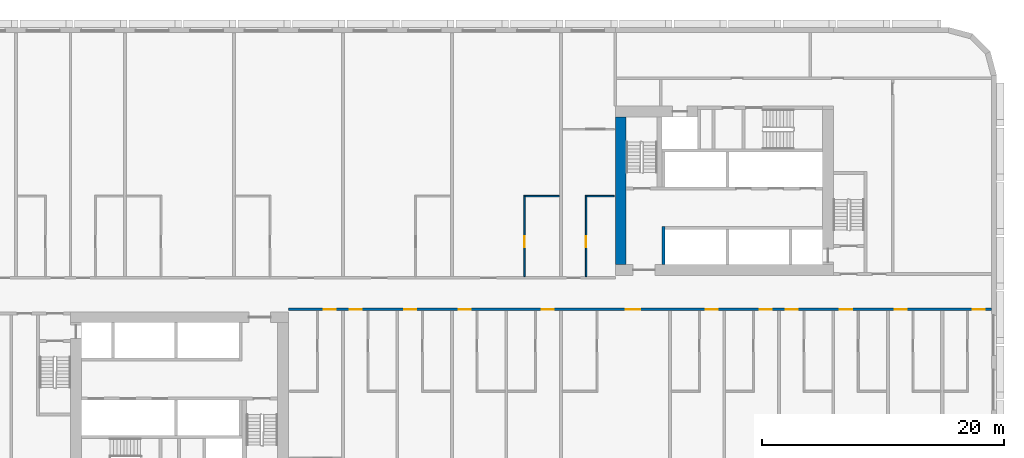
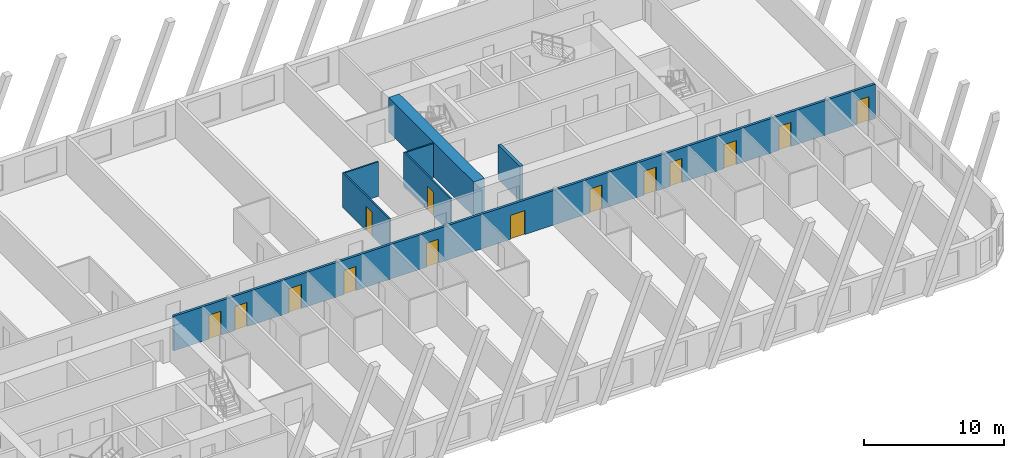
# One storey, part 5 of 13: 14 doors, 7 walls, 14 openings.
"""IFC4 building model written with IfcOpenShell, lengths in metres."""

from ifc_helpers import new_model, si_unit, direction, frame, frame_2d, origin, place, context, subcontext, project, spatial, rectangle, extrude, material, layer, layer_set, type_object, element, fill, save


model = new_model("IFC4")

# Units and contexts
model_context = context("Model", 3, precision=1e-05, world=origin(), true_north=direction((0.0, 1.0)))
body_context = subcontext(model_context, "Body", "Model", "MODEL_VIEW")
ifc_project = project(units=[si_unit("LENGTHUNIT", "METRE"), si_unit("AREAUNIT", "SQUARE_METRE"), si_unit("VOLUMEUNIT", "CUBIC_METRE"), si_unit("PLANEANGLEUNIT", "RADIAN"), si_unit("MASSUNIT", "GRAM", prefix="KILO")], contexts=[model_context])

# Site, building, storey
site_placement = place(None, origin())
site = spatial("IfcSite", under=ifc_project, at=site_placement, CompositionType="ELEMENT")
building_placement = place(site_placement, origin())
building = spatial("IfcBuilding", under=site, at=building_placement, Name="Kajstack Hotel Tower", CompositionType="ELEMENT")
storey_placement = place(building_placement, frame((0.0, 0.0, 89.699951171875)))
storey = spatial("IfcBuildingStorey", under=building, at=storey_placement, Name="L18", CompositionType="ELEMENT", Elevation=89.699951171875)

# Wall
ifc_material_1 = material(Name="Concrete C60/75", Category="concrete")
ifc_layer_1 = layer(ifc_material_1, 0.89990234375)
ifc_layer_set_1 = layer_set([ifc_layer_1], Name="Core wall 900")
wall_type_1 = type_object("IfcWallType", Name="Core wall 900", PredefinedType="SHEAR", material=ifc_layer_set_1)
wall_1_placement = place(storey_placement, frame((13.949951171875, 2.39990234375, 0.0), z_axis=(0.0, 0.0, 1.0), x_axis=(0.0, 1.0, 0.0)))
element("IfcWall", 1, at=wall_1_placement, inside=storey, type_object=wall_type_1, Name="Core wall E RE", PredefinedType="SHEAR", context=body_context, shape_type="SweptSolid", body=[
    extrude(rectangle(XDim=12.2001953125, YDim=0.89990234375, at=frame_2d((6.10009765625, 0.0))), origin(), (0.0, 0.0, 1.0), 3.02001953125),
])

# Wall, openings, doors
ifc_material_2 = material(Name="Gypsum board on steel studs, mineral wool", Category="steel")
ifc_layer_2 = layer(ifc_material_2, 0.199951171875)
ifc_layer_set_2 = layer_set([ifc_layer_2], Name="Corridor wall 200")
wall_type_2 = type_object("IfcWallType", Name="Corridor wall 200", PredefinedType="PARTITIONING", material=ifc_layer_set_2)
wall_2_placement = place(storey_placement, frame((-13.5, -1.300048828125, 0.0), z_axis=(0.0, 0.0, 1.0), x_axis=(1.0, 0.0, 0.0)))
wall_2 = element("IfcWall", 2, at=wall_2_placement, inside=storey, type_object=wall_type_2, Name="G-wall-L18-024", PredefinedType="PARTITIONING", context=body_context, shape_type="SweptSolid", body=[
    extrude(rectangle(XDim=58.050048828125, YDim=0.199951171875, at=frame_2d((29.02490234375, 0.0))), origin(), (0.0, 0.0, 1.0), 3.02001953125),
])
opening_1_placement = place(wall_2_placement, frame((2.925048828125, 0.0, 0.0)))
opening_1 = element("IfcOpeningElement", 3, at=opening_1_placement, cuts=wall_2, Name="Opening 18020", PredefinedType="OPENING", context=body_context, shape_type="SweptSolid", body=[
    extrude(rectangle(XDim=1.0, YDim=2.10009765625, at=frame_2d((0.5, 1.050048828125))), frame((0.0, 0.10986328125, 0.0), z_axis=(0.0, -1.0, 0.0), x_axis=(1.0, 0.0, 0.0)), (0.0, 0.0, 1.0), 0.219970703125),
])
opening_2_placement = place(wall_2_placement, frame((5.074951171875, 0.0, 0.0)))
opening_2 = element("IfcOpeningElement", 4, at=opening_2_placement, cuts=wall_2, Name="Opening 18023", PredefinedType="OPENING", context=body_context, shape_type="SweptSolid", body=[
    extrude(rectangle(XDim=1.0, YDim=2.10009765625, at=frame_2d((0.5, 1.050048828125))), frame((0.0, 0.10986328125, 0.0), z_axis=(0.0, -1.0, 0.0), x_axis=(1.0, 0.0, 0.0)), (0.0, 0.0, 1.0), 0.219970703125),
])
opening_3_placement = place(wall_2_placement, frame((9.550048828125, 0.0, 0.0)))
opening_3 = element("IfcOpeningElement", 5, at=opening_3_placement, cuts=wall_2, Name="Opening 18025", PredefinedType="OPENING", context=body_context, shape_type="SweptSolid", body=[
    extrude(rectangle(XDim=1.0, YDim=2.10009765625, at=frame_2d((0.5, 1.050048828125))), frame((0.0, 0.10986328125, 0.0), z_axis=(0.0, -1.0, 0.0), x_axis=(1.0, 0.0, 0.0)), (0.0, 0.0, 1.0), 0.219970703125),
])
opening_4_placement = place(wall_2_placement, frame((14.074951171875, 0.0, 0.0)))
opening_4 = element("IfcOpeningElement", 6, at=opening_4_placement, cuts=wall_2, Name="Opening 18027", PredefinedType="OPENING", context=body_context, shape_type="SweptSolid", body=[
    extrude(rectangle(XDim=1.0, YDim=2.10009765625, at=frame_2d((0.5, 1.050048828125))), frame((0.0, 0.10986328125, 0.0), z_axis=(0.0, -1.0, 0.0), x_axis=(1.0, 0.0, 0.0)), (0.0, 0.0, 1.0), 0.219970703125),
])
opening_5_placement = place(wall_2_placement, frame((20.925048828125, 0.0, 0.0)))
opening_5 = element("IfcOpeningElement", 7, at=opening_5_placement, cuts=wall_2, Name="Opening 18029", PredefinedType="OPENING", context=body_context, shape_type="SweptSolid", body=[
    extrude(rectangle(XDim=1.0, YDim=2.10009765625, at=frame_2d((0.5, 1.050048828125))), frame((0.0, 0.10986328125, 0.0), z_axis=(0.0, -1.0, 0.0), x_axis=(1.0, 0.0, 0.0)), (0.0, 0.0, 1.0), 0.219970703125),
])
opening_6_placement = place(wall_2_placement, frame((27.862060546875, 0.0, 0.0)))
opening_6 = element("IfcOpeningElement", 8, at=opening_6_placement, cuts=wall_2, Name="Opening 18031", PredefinedType="OPENING", context=body_context, shape_type="SweptSolid", body=[
    extrude(rectangle(XDim=1.199951171875, YDim=2.10009765625, at=frame_2d((0.60009765625, 1.050048828125))), frame((0.0, 0.10986328125, 0.0), z_axis=(0.0, -1.0, 0.0), x_axis=(1.0, 0.0, 0.0)), (0.0, 0.0, 1.0), 0.219970703125),
])
opening_7_placement = place(wall_2_placement, frame((34.449951171875, 0.0, 0.0)))
opening_7 = element("IfcOpeningElement", 9, at=opening_7_placement, cuts=wall_2, Name="Opening 18033", PredefinedType="OPENING", context=body_context, shape_type="SweptSolid", body=[
    extrude(rectangle(XDim=1.0, YDim=2.10009765625, at=frame_2d((0.5, 1.050048828125))), frame((0.0, 0.10986328125, 0.0), z_axis=(0.0, -1.0, 0.0), x_axis=(1.0, 0.0, 0.0)), (0.0, 0.0, 1.0), 0.219970703125),
])
opening_8_placement = place(wall_2_placement, frame((38.925048828125, 0.0, 0.0)))
opening_8 = element("IfcOpeningElement", 10, at=opening_8_placement, cuts=wall_2, Name="Opening 18035", PredefinedType="OPENING", context=body_context, shape_type="SweptSolid", body=[
    extrude(rectangle(XDim=1.0, YDim=2.10009765625, at=frame_2d((0.5, 1.050048828125))), frame((0.0, 0.10986328125, 0.0), z_axis=(0.0, -1.0, 0.0), x_axis=(1.0, 0.0, 0.0)), (0.0, 0.0, 1.0), 0.219970703125),
])
opening_9_placement = place(wall_2_placement, frame((41.074951171875, 0.0, 0.0)))
opening_9 = element("IfcOpeningElement", 11, at=opening_9_placement, cuts=wall_2, Name="Opening 18037", PredefinedType="OPENING", context=body_context, shape_type="SweptSolid", body=[
    extrude(rectangle(XDim=1.0, YDim=2.10009765625, at=frame_2d((0.5, 1.050048828125))), frame((0.0, 0.10986328125, 0.0), z_axis=(0.0, -1.0, 0.0), x_axis=(1.0, 0.0, 0.0)), (0.0, 0.0, 1.0), 0.219970703125),
])
opening_10_placement = place(wall_2_placement, frame((45.550048828125, 0.0, 0.0)))
opening_10 = element("IfcOpeningElement", 12, at=opening_10_placement, cuts=wall_2, Name="Opening 18039", PredefinedType="OPENING", context=body_context, shape_type="SweptSolid", body=[
    extrude(rectangle(XDim=1.0, YDim=2.10009765625, at=frame_2d((0.5, 1.050048828125))), frame((0.0, 0.10986328125, 0.0), z_axis=(0.0, -1.0, 0.0), x_axis=(1.0, 0.0, 0.0)), (0.0, 0.0, 1.0), 0.219970703125),
])
opening_11_placement = place(wall_2_placement, frame((50.074951171875, 0.0, 0.0)))
opening_11 = element("IfcOpeningElement", 13, at=opening_11_placement, cuts=wall_2, Name="Opening 18041", PredefinedType="OPENING", context=body_context, shape_type="SweptSolid", body=[
    extrude(rectangle(XDim=1.0, YDim=2.10009765625, at=frame_2d((0.5, 1.050048828125))), frame((0.0, 0.10986328125, 0.0), z_axis=(0.0, -1.0, 0.0), x_axis=(1.0, 0.0, 0.0)), (0.0, 0.0, 1.0), 0.219970703125),
])
opening_12_placement = place(wall_2_placement, frame((56.52490234375, 0.0, 0.0)))
opening_12 = element("IfcOpeningElement", 14, at=opening_12_placement, cuts=wall_2, Name="Opening 18043", PredefinedType="OPENING", context=body_context, shape_type="SweptSolid", body=[
    extrude(rectangle(XDim=1.0, YDim=2.10009765625, at=frame_2d((0.5, 1.050048828125))), frame((0.0, 0.10986328125, 0.0), z_axis=(0.0, -1.0, 0.0), x_axis=(1.0, 0.0, 0.0)), (0.0, 0.0, 1.0), 0.219970703125),
])
ifc_material_3 = material(Name="Oak veneer on timber core, fire-rated leaf", Category="wood")
door_type_1 = type_object("IfcDoorType", Name="Flat entrance door 1000", OperationType="SINGLE_SWING_LEFT", PredefinedType="DOOR", material=ifc_material_3)
door_1_placement = place(opening_1_placement, origin())
door_1 = element("IfcDoor", 15, at=door_1_placement, inside=storey, type_object=door_type_1, Name="G-door-L18-20", OperationType="SINGLE_SWING_RIGHT", OverallHeight=2.10009765625, OverallWidth=1.0, PredefinedType="DOOR", context=body_context, shape_type="SweptSolid", body=[
    extrude(rectangle(XDim=1.0, YDim=2.10009765625, at=frame_2d((0.5, 1.050048828125))), frame((0.0, 0.02490234375, 0.0), z_axis=(0.0, -1.0, 0.0), x_axis=(1.0, 0.0, 0.0)), (0.0, 0.0, 1.0), 0.050048828125),
])
fill(opening_1, door_1)
door_2_placement = place(opening_2_placement, origin())
door_2 = element("IfcDoor", 16, at=door_2_placement, inside=storey, type_object=door_type_1, Name="G-door-L18-23", OperationType="SINGLE_SWING_LEFT", OverallHeight=2.10009765625, OverallWidth=1.0, PredefinedType="DOOR", context=body_context, shape_type="SweptSolid", body=[
    extrude(rectangle(XDim=1.0, YDim=2.10009765625, at=frame_2d((0.5, 1.050048828125))), frame((0.0, 0.02490234375, 0.0), z_axis=(0.0, -1.0, 0.0), x_axis=(1.0, 0.0, 0.0)), (0.0, 0.0, 1.0), 0.050048828125),
])
fill(opening_2, door_2)
door_3_placement = place(opening_3_placement, origin())
door_3 = element("IfcDoor", 17, at=door_3_placement, inside=storey, type_object=door_type_1, Name="G-door-L18-25", OperationType="SINGLE_SWING_LEFT", OverallHeight=2.10009765625, OverallWidth=1.0, PredefinedType="DOOR", context=body_context, shape_type="SweptSolid", body=[
    extrude(rectangle(XDim=1.0, YDim=2.10009765625, at=frame_2d((0.5, 1.050048828125))), frame((0.0, 0.02490234375, 0.0), z_axis=(0.0, -1.0, 0.0), x_axis=(1.0, 0.0, 0.0)), (0.0, 0.0, 1.0), 0.050048828125),
])
fill(opening_3, door_3)
door_4_placement = place(opening_4_placement, origin())
door_4 = element("IfcDoor", 18, at=door_4_placement, inside=storey, type_object=door_type_1, Name="G-door-L18-27", OperationType="SINGLE_SWING_RIGHT", OverallHeight=2.10009765625, OverallWidth=1.0, PredefinedType="DOOR", context=body_context, shape_type="SweptSolid", body=[
    extrude(rectangle(XDim=1.0, YDim=2.10009765625, at=frame_2d((0.5, 1.050048828125))), frame((0.0, 0.02490234375, 0.0), z_axis=(0.0, -1.0, 0.0), x_axis=(1.0, 0.0, 0.0)), (0.0, 0.0, 1.0), 0.050048828125),
])
fill(opening_4, door_4)
door_5_placement = place(opening_5_placement, origin())
door_5 = element("IfcDoor", 19, at=door_5_placement, inside=storey, type_object=door_type_1, Name="G-door-L18-29", OperationType="SINGLE_SWING_LEFT", OverallHeight=2.10009765625, OverallWidth=1.0, PredefinedType="DOOR", context=body_context, shape_type="SweptSolid", body=[
    extrude(rectangle(XDim=1.0, YDim=2.10009765625, at=frame_2d((0.5, 1.050048828125))), frame((0.0, 0.02490234375, 0.0), z_axis=(0.0, -1.0, 0.0), x_axis=(1.0, 0.0, 0.0)), (0.0, 0.0, 1.0), 0.050048828125),
])
fill(opening_5, door_5)
door_6_placement = place(opening_7_placement, origin())
door_6 = element("IfcDoor", 20, at=door_6_placement, inside=storey, type_object=door_type_1, Name="G-door-L18-33", OperationType="SINGLE_SWING_RIGHT", OverallHeight=2.10009765625, OverallWidth=1.0, PredefinedType="DOOR", context=body_context, shape_type="SweptSolid", body=[
    extrude(rectangle(XDim=1.0, YDim=2.10009765625, at=frame_2d((0.5, 1.050048828125))), frame((0.0, 0.02490234375, 0.0), z_axis=(0.0, -1.0, 0.0), x_axis=(1.0, 0.0, 0.0)), (0.0, 0.0, 1.0), 0.050048828125),
])
fill(opening_7, door_6)
door_7_placement = place(opening_8_placement, origin())
door_7 = element("IfcDoor", 21, at=door_7_placement, inside=storey, type_object=door_type_1, Name="G-door-L18-35", OperationType="SINGLE_SWING_RIGHT", OverallHeight=2.10009765625, OverallWidth=1.0, PredefinedType="DOOR", context=body_context, shape_type="SweptSolid", body=[
    extrude(rectangle(XDim=1.0, YDim=2.10009765625, at=frame_2d((0.5, 1.050048828125))), frame((0.0, 0.02490234375, 0.0), z_axis=(0.0, -1.0, 0.0), x_axis=(1.0, 0.0, 0.0)), (0.0, 0.0, 1.0), 0.050048828125),
])
fill(opening_8, door_7)
door_8_placement = place(opening_9_placement, origin())
door_8 = element("IfcDoor", 22, at=door_8_placement, inside=storey, type_object=door_type_1, Name="G-door-L18-37", OperationType="SINGLE_SWING_LEFT", OverallHeight=2.10009765625, OverallWidth=1.0, PredefinedType="DOOR", context=body_context, shape_type="SweptSolid", body=[
    extrude(rectangle(XDim=1.0, YDim=2.10009765625, at=frame_2d((0.5, 1.050048828125))), frame((0.0, 0.02490234375, 0.0), z_axis=(0.0, -1.0, 0.0), x_axis=(1.0, 0.0, 0.0)), (0.0, 0.0, 1.0), 0.050048828125),
])
fill(opening_9, door_8)
door_9_placement = place(opening_10_placement, origin())
door_9 = element("IfcDoor", 23, at=door_9_placement, inside=storey, type_object=door_type_1, Name="G-door-L18-39", OperationType="SINGLE_SWING_RIGHT", OverallHeight=2.10009765625, OverallWidth=1.0, PredefinedType="DOOR", context=body_context, shape_type="SweptSolid", body=[
    extrude(rectangle(XDim=1.0, YDim=2.10009765625, at=frame_2d((0.5, 1.050048828125))), frame((0.0, 0.02490234375, 0.0), z_axis=(0.0, -1.0, 0.0), x_axis=(1.0, 0.0, 0.0)), (0.0, 0.0, 1.0), 0.050048828125),
])
fill(opening_10, door_9)
door_10_placement = place(opening_11_placement, origin())
door_10 = element("IfcDoor", 24, at=door_10_placement, inside=storey, type_object=door_type_1, Name="G-door-L18-41", OperationType="SINGLE_SWING_LEFT", OverallHeight=2.10009765625, OverallWidth=1.0, PredefinedType="DOOR", context=body_context, shape_type="SweptSolid", body=[
    extrude(rectangle(XDim=1.0, YDim=2.10009765625, at=frame_2d((0.5, 1.050048828125))), frame((0.0, 0.02490234375, 0.0), z_axis=(0.0, -1.0, 0.0), x_axis=(1.0, 0.0, 0.0)), (0.0, 0.0, 1.0), 0.050048828125),
])
fill(opening_11, door_10)
door_11_placement = place(opening_12_placement, origin())
door_11 = element("IfcDoor", 25, at=door_11_placement, inside=storey, type_object=door_type_1, Name="G-door-L18-43", OperationType="SINGLE_SWING_LEFT", OverallHeight=2.10009765625, OverallWidth=1.0, PredefinedType="DOOR", context=body_context, shape_type="SweptSolid", body=[
    extrude(rectangle(XDim=1.0, YDim=2.10009765625, at=frame_2d((0.5, 1.050048828125))), frame((0.0, 0.02490234375, 0.0), z_axis=(0.0, -1.0, 0.0), x_axis=(1.0, 0.0, 0.0)), (0.0, 0.0, 1.0), 0.050048828125),
])
fill(opening_12, door_11)
door_type_2 = type_object("IfcDoorType", Name="Flat entrance door 1200", OperationType="SINGLE_SWING_LEFT", PredefinedType="DOOR", material=ifc_material_3)
door_12_placement = place(opening_6_placement, origin())
door_12 = element("IfcDoor", 26, at=door_12_placement, inside=storey, type_object=door_type_2, Name="G-door-L18-31", OperationType="SINGLE_SWING_RIGHT", OverallHeight=2.10009765625, OverallWidth=1.199951171875, PredefinedType="DOOR", context=body_context, shape_type="SweptSolid", body=[
    extrude(rectangle(XDim=1.199951171875, YDim=2.10009765625, at=frame_2d((0.60009765625, 1.050048828125))), frame((0.0, 0.02490234375, 0.0), z_axis=(0.0, -1.0, 0.0), x_axis=(1.0, 0.0, 0.0)), (0.0, 0.0, 1.0), 0.050048828125),
])
fill(opening_6, door_12)

# Wall, opening, door
ifc_material_4 = material(Name="Gypsum board and tiled backer on steel studs", Category="steel")
ifc_layer_3 = layer(ifc_material_4, 0.125)
ifc_layer_set_3 = layer_set([ifc_layer_3], Name="En-suite wall 125")
wall_type_3 = type_object("IfcWallType", Name="En-suite wall 125", PredefinedType="PARTITIONING", material=ifc_layer_set_3)
wall_3_placement = place(storey_placement, frame((6.012939453125, 1.39990234375, 0.0), z_axis=(0.0, 0.0, 1.0), x_axis=(0.0, 1.0, 0.0)))
wall_3 = element("IfcWall", 27, at=wall_3_placement, inside=storey, type_object=wall_type_3, Name="G-wall-L18-019", PredefinedType="PARTITIONING", context=body_context, shape_type="SweptSolid", body=[
    extrude(rectangle(XDim=6.72509765625, YDim=0.125, at=frame_2d((3.362548828125, 0.0))), origin(), (0.0, 0.0, 1.0), 3.02001953125),
])
opening_13_placement = place(wall_3_placement, frame((2.449951171875, 0.0, 0.0)))
opening_13 = element("IfcOpeningElement", 28, at=opening_13_placement, cuts=wall_3, Name="Opening 18016", PredefinedType="OPENING", context=body_context, shape_type="SweptSolid", body=[
    extrude(rectangle(XDim=0.89990234375, YDim=2.10009765625, at=frame_2d((0.449951171875, 1.050048828125))), frame((0.0, 0.072509765625, 0.0), z_axis=(0.0, -1.0, 0.0), x_axis=(1.0, 0.0, 0.0)), (0.0, 0.0, 1.0), 0.14501953125),
])
ifc_material_5 = material(Name="Painted timber door leaf", Category="wood")
door_type_3 = type_object("IfcDoorType", Name="Room door 900", OperationType="SINGLE_SWING_LEFT", PredefinedType="DOOR", material=ifc_material_5)
door_13_placement = place(opening_13_placement, origin())
door_13 = element("IfcDoor", 29, at=door_13_placement, inside=storey, type_object=door_type_3, Name="G-door-L18-16", OperationType="SINGLE_SWING_LEFT", OverallHeight=2.10009765625, OverallWidth=0.89990234375, PredefinedType="DOOR", context=body_context, shape_type="SweptSolid", body=[
    extrude(rectangle(XDim=0.89990234375, YDim=2.10009765625, at=frame_2d((0.449951171875, 1.050048828125))), frame((0.0, 0.02490234375, 0.0), z_axis=(0.0, -1.0, 0.0), x_axis=(1.0, 0.0, 0.0)), (0.0, 0.0, 1.0), 0.050048828125),
])
fill(opening_13, door_13)

# Wall
wall_4_placement = place(storey_placement, frame((6.074951171875, 8.06201171875, 0.0), z_axis=(0.0, 0.0, 1.0), x_axis=(1.0, 0.0, 0.0)))
element("IfcWall", 30, at=wall_4_placement, inside=storey, type_object=wall_type_3, Name="G-wall-L18-020", PredefinedType="PARTITIONING", context=body_context, shape_type="SweptSolid", body=[
    extrude(rectangle(XDim=2.800048828125, YDim=0.125, at=frame_2d((1.39990234375, 0.0))), origin(), (0.0, 0.0, 1.0), 3.02001953125),
])

# Wall, opening, door
wall_5_placement = place(storey_placement, frame((11.087890625, 1.39990234375, 0.0), z_axis=(0.0, 0.0, 1.0), x_axis=(0.0, 1.0, 0.0)))
wall_5 = element("IfcWall", 31, at=wall_5_placement, inside=storey, type_object=wall_type_3, Name="G-wall-L18-021", PredefinedType="PARTITIONING", context=body_context, shape_type="SweptSolid", body=[
    extrude(rectangle(XDim=6.72509765625, YDim=0.125, at=frame_2d((3.362548828125, 0.0))), origin(), (0.0, 0.0, 1.0), 3.02001953125),
])
opening_14_placement = place(wall_5_placement, frame((2.449951171875, 0.0, 0.0)))
opening_14 = element("IfcOpeningElement", 32, at=opening_14_placement, cuts=wall_5, Name="Opening 18018", PredefinedType="OPENING", context=body_context, shape_type="SweptSolid", body=[
    extrude(rectangle(XDim=0.89990234375, YDim=2.10009765625, at=frame_2d((0.449951171875, 1.050048828125))), frame((0.0, 0.072509765625, 0.0), z_axis=(0.0, -1.0, 0.0), x_axis=(1.0, 0.0, 0.0)), (0.0, 0.0, 1.0), 0.14501953125),
])
door_14_placement = place(opening_14_placement, origin())
door_14 = element("IfcDoor", 33, at=door_14_placement, inside=storey, type_object=door_type_3, Name="G-door-L18-18", OperationType="SINGLE_SWING_RIGHT", OverallHeight=2.10009765625, OverallWidth=0.89990234375, PredefinedType="DOOR", context=body_context, shape_type="SweptSolid", body=[
    extrude(rectangle(XDim=0.89990234375, YDim=2.10009765625, at=frame_2d((0.449951171875, 1.050048828125))), frame((0.0, 0.02490234375, 0.0), z_axis=(0.0, -1.0, 0.0), x_axis=(1.0, 0.0, 0.0)), (0.0, 0.0, 1.0), 0.050048828125),
])
fill(opening_14, door_14)

# Walls
wall_6_placement = place(storey_placement, frame((11.14990234375, 8.06201171875, 0.0), z_axis=(0.0, 0.0, 1.0), x_axis=(1.0, 0.0, 0.0)))
element("IfcWall", 34, at=wall_6_placement, inside=storey, type_object=wall_type_3, Name="G-wall-L18-022", PredefinedType="PARTITIONING", context=body_context, shape_type="SweptSolid", body=[
    extrude(rectangle(XDim=2.25, YDim=0.125, at=frame_2d((1.125, 0.0))), origin(), (0.0, 0.0, 1.0), 3.02001953125),
])
ifc_material_6 = material(Name="Concrete C50/60", Category="concrete")
ifc_layer_4 = layer(ifc_material_6, 0.25)
ifc_layer_set_4 = layer_set([ifc_layer_4], Name="Shaft wall 250")
wall_type_4 = type_object("IfcWallType", Name="Shaft wall 250", PredefinedType="SHEAR", material=ifc_layer_set_4)
wall_7_placement = place(storey_placement, frame((17.47509765625, 2.39990234375, 0.0), z_axis=(0.0, 0.0, 1.0), x_axis=(0.0, 1.0, 0.0)))
element("IfcWall", 35, at=wall_7_placement, inside=storey, type_object=wall_type_4, Name="Core wall E AE", PredefinedType="SHEAR", context=body_context, shape_type="SweptSolid", body=[
    extrude(rectangle(XDim=3.150146484375, YDim=0.25, at=frame_2d((1.5751953125, 0.0))), origin(), (0.0, 0.0, 1.0), 3.02001953125),
])

save(model, "model.ifc")
